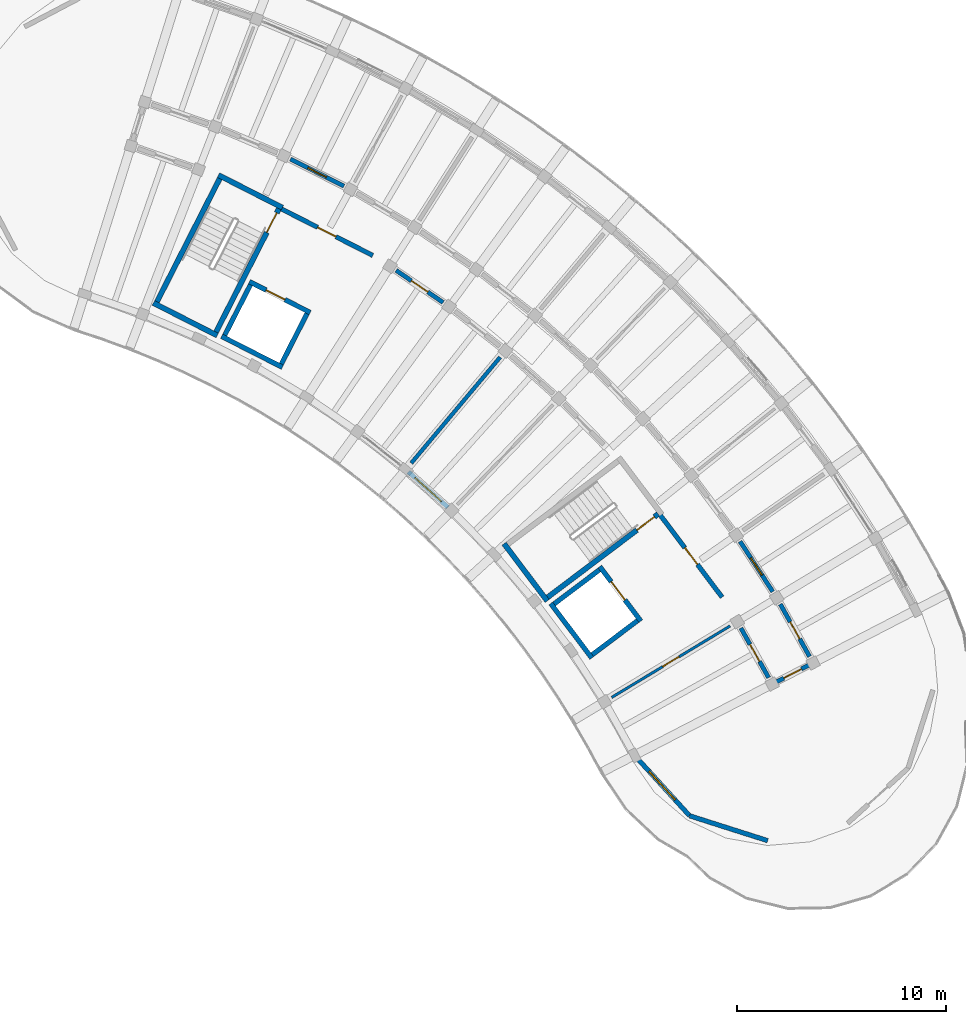
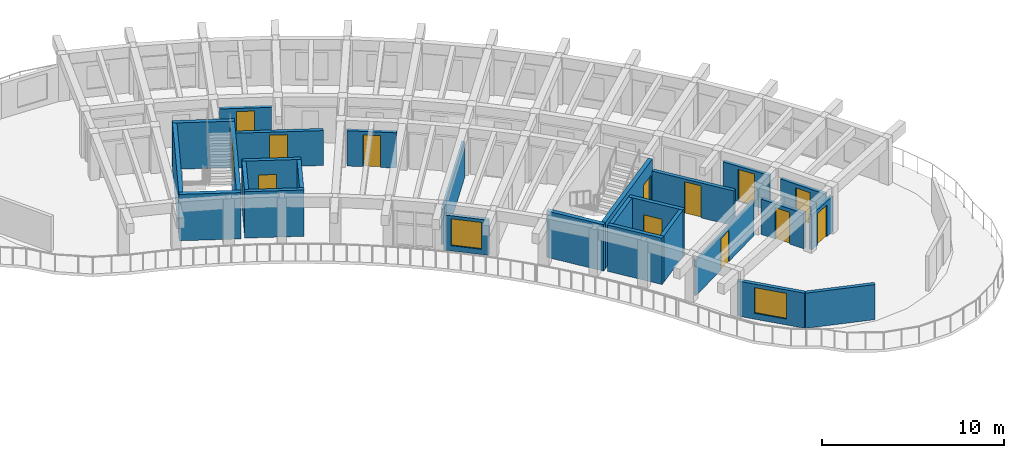
# One storey, part 23 of 36: 27 walls, 13 doors, 2 windows, 15 openings.
"""IFC4 building model written with IfcOpenShell, lengths in metres."""

from ifc_helpers import new_model, si_unit, direction, frame, frame_2d, origin, place, context, subcontext, project, spatial, rectangle, extrude, material, layer, layer_set, type_object, element, fill, save


model = new_model("IFC4")

# Units and contexts
model_context = context("Model", 3, precision=1e-05, world=origin(), true_north=direction((0.0, 1.0)))
body_context = subcontext(model_context, "Body", "Model", "MODEL_VIEW")
ifc_project = project(units=[si_unit("LENGTHUNIT", "METRE"), si_unit("AREAUNIT", "SQUARE_METRE"), si_unit("VOLUMEUNIT", "CUBIC_METRE"), si_unit("PLANEANGLEUNIT", "RADIAN"), si_unit("MASSUNIT", "GRAM", prefix="KILO")], contexts=[model_context])

# Site, building, storey
site_placement = place(None, origin())
site = spatial("IfcSite", under=ifc_project, at=site_placement, CompositionType="ELEMENT")
building_placement = place(site_placement, origin())
building = spatial("IfcBuilding", under=site, at=building_placement, Name="Tanwirah Colonnade Gardens", CompositionType="ELEMENT")
storey_placement = place(building_placement, frame((0.0, 0.0, 39.080078125)))
storey = spatial("IfcBuildingStorey", under=building, at=storey_placement, Name="L11", CompositionType="ELEMENT", Elevation=39.080078125)

# Wall, opening, window
ifc_material_1 = material(Name="Limestone architectural precast concrete C40/50", Category="masonry")
ifc_layer_1 = layer(ifc_material_1, 0.219970703125)
ifc_layer_set_1 = layer_set([ifc_layer_1], Name="Limestone architectural precast concrete C40/50")
wall_type_1 = type_object("IfcWallType", Name="EW-PC220", PredefinedType="SOLIDWALL", material=ifc_layer_set_1)
wall_1_placement = place(storey_placement, frame((151.58203125, 92.44775390625, 0.0), z_axis=(0.0, 0.0, 1.0), x_axis=(-0.744394463736, 0.667740130859, 0.0)))
wall_1 = element("IfcWall", 1, at=wall_1_placement, inside=storey, type_object=wall_type_1, Name="Block B L11 IN Precast Facade Wall 8", PredefinedType="SOLIDWALL", context=body_context, shape_type="SweptSolid", body=[
    extrude(rectangle(XDim=2.53515625, YDim=0.219970703125, at=frame_2d((1.267578125, 0.0))), origin(), (0.0, 0.0, 1.0), 2.35498046875),
])
opening_1_placement = place(wall_1_placement, frame((0.41748046875, 0.0, 0.35009765625)))
opening_1 = element("IfcOpeningElement", 2, at=opening_1_placement, cuts=wall_1, Name="Opening WIN-T12", PredefinedType="OPENING", context=body_context, shape_type="SweptSolid", body=[
    extrude(rectangle(XDim=1.699951171875, YDim=1.800048828125, at=frame_2d((0.85009765625, 0.89990234375))), frame((0.0, 0.119873046875, 0.0), z_axis=(0.0, -1.0, 0.0), x_axis=(1.0, 0.0, 0.0)), (0.0, 0.0, 1.0), 0.239990234375),
])
ifc_material_2 = material(Name="Thermally broken bronze aluminium and solar low-E double glazing", Category="aluminium")
window_type_1 = type_object("IfcWindowType", Name="WIN-T12", PartitioningType="TRIPLE_PANEL_VERTICAL", PredefinedType="WINDOW", material=ifc_material_2)
window_1_placement = place(opening_1_placement, origin())
window_1 = element("IfcWindow", 3, at=window_1_placement, inside=storey, type_object=window_type_1, Name="Facade window B-L11-IN-08", OverallHeight=1.800048828125, OverallWidth=1.699951171875, PartitioningType="SINGLE_PANEL", PredefinedType="WINDOW", context=body_context, shape_type="SweptSolid", body=[
    extrude(rectangle(XDim=1.699951171875, YDim=1.800048828125, at=frame_2d((0.85009765625, 0.89990234375))), frame((0.0, 0.030029296875, 0.0), z_axis=(0.0, -1.0, 0.0), x_axis=(1.0, 0.0, 0.0)), (0.0, 0.0, 1.0), 0.06005859375),
])
fill(opening_1, window_1)

# Wall
wall_2_placement = place(storey_placement, frame((166.843017578125, 76.534912109375, 0.0), z_axis=(0.0, 0.0, 1.0), x_axis=(-0.952839597628, 0.30347438309, 0.0)))
element("IfcWall", 4, at=wall_2_placement, inside=storey, type_object=wall_type_1, Name="Block B L11 START Rounded End Wall 4", PredefinedType="SOLIDWALL", context=body_context, shape_type="SweptSolid", body=[
    extrude(rectangle(XDim=3.908203125, YDim=0.219970703125, at=frame_2d((1.9541015625, 0.0))), origin(), (0.0, 0.0, 1.0), 2.35498046875),
])

# Wall, opening, window
wall_3_placement = place(storey_placement, frame((163.119140625, 77.720947265625, 0.0), z_axis=(0.0, 0.0, 1.0), x_axis=(-0.673483927886, 0.739201866123, 0.0)))
wall_3 = element("IfcWall", 5, at=wall_3_placement, inside=storey, type_object=wall_type_1, Name="Block B L11 START Rounded End Wall 5", PredefinedType="SOLIDWALL", context=body_context, shape_type="SweptSolid", body=[
    extrude(rectangle(XDim=3.908203125, YDim=0.219970703125, at=frame_2d((1.9541015625, 0.0))), origin(), (0.0, 0.0, 1.0), 2.35498046875),
])
opening_2_placement = place(wall_3_placement, frame((1.029052734375, 0.0, 0.39990234375)))
opening_2 = element("IfcOpeningElement", 6, at=opening_2_placement, cuts=wall_3, Name="Opening WIN-END1", PredefinedType="OPENING", context=body_context, shape_type="SweptSolid", body=[
    extrude(rectangle(XDim=1.85009765625, YDim=1.719970703125, at=frame_2d((0.925048828125, 0.85986328125))), frame((0.0, 0.119873046875, 0.0), z_axis=(0.0, -1.0, 0.0), x_axis=(1.0, 0.0, 0.0)), (0.0, 0.0, 1.0), 0.239990234375),
])
window_type_2 = type_object("IfcWindowType", Name="WIN-END1", PartitioningType="TRIPLE_PANEL_VERTICAL", PredefinedType="WINDOW", material=ifc_material_2)
window_2_placement = place(opening_2_placement, origin())
window_2 = element("IfcWindow", 7, at=window_2_placement, inside=storey, type_object=window_type_2, Name="Rounded corner window B-L11-START-5", OverallHeight=1.719970703125, OverallWidth=1.85009765625, PartitioningType="SINGLE_PANEL", PredefinedType="WINDOW", context=body_context, shape_type="SweptSolid", body=[
    extrude(rectangle(XDim=1.85009765625, YDim=1.719970703125, at=frame_2d((0.925048828125, 0.85986328125))), frame((0.0, 0.030029296875, 0.0), z_axis=(0.0, -1.0, 0.0), x_axis=(1.0, 0.0, 0.0)), (0.0, 0.0, 1.0), 0.06005859375),
])
fill(opening_2, window_2)

# Wall, opening, door
ifc_material_3 = material(Name="Precast concrete C40/50", Category="concrete")
ifc_layer_2 = layer(ifc_material_3, 0.205078125)
ifc_layer_set_2 = layer_set([ifc_layer_2], Name="Precast concrete C40/50")
wall_type_2 = type_object("IfcWallType", Name="IW-CORR205", PredefinedType="PARTITIONING", material=ifc_layer_set_2)
wall_4_placement = place(storey_placement, frame((168.844482421875, 85.323486328125, 0.0), z_axis=(0.0, 0.0, 1.0), x_axis=(-0.48817487918, 0.872745832037, 0.0)))
wall_4 = element("IfcWall", 8, at=wall_4_placement, inside=storey, type_object=wall_type_2, Name="Block B L11 OUT Corridor Wall 3", PredefinedType="PARTITIONING", context=body_context, shape_type="SweptSolid", body=[
    extrude(rectangle(XDim=2.863037109375, YDim=0.205078125, at=frame_2d((1.431640625, 0.0))), origin(), (0.0, 0.0, 1.0), 2.369873046875),
])
opening_3_placement = place(wall_4_placement, frame((0.966552734375, 0.0, 0.0)))
opening_3 = element("IfcOpeningElement", 9, at=opening_3_placement, cuts=wall_4, Name="Opening L11-AD1226", PredefinedType="OPENING", context=body_context, shape_type="SweptSolid", body=[
    extrude(rectangle(XDim=0.929931640625, YDim=2.1201171875, at=frame_2d((0.46484375, 1.06005859375))), frame((0.0, 0.112548828125, 0.0), z_axis=(0.0, -1.0, 0.0), x_axis=(1.0, 0.0, 0.0)), (0.0, 0.0, 1.0), 0.22509765625),
])
ifc_material_4 = material(Name="Solid oak fire-resisting apartment entrance door")
door_type_1 = type_object("IfcDoorType", Name="ID-FLT093", OperationType="NOTDEFINED", PredefinedType="DOOR", material=ifc_material_4)
door_1_placement = place(opening_3_placement, origin())
door_1 = element("IfcDoor", 10, at=door_1_placement, inside=storey, type_object=door_type_1, Name="Apartment corridor door L11-AD1226", OperationType="SINGLE_SWING_LEFT", OverallHeight=2.1201171875, OverallWidth=0.929931640625, PredefinedType="DOOR", context=body_context, shape_type="SweptSolid", body=[
    extrude(rectangle(XDim=0.929931640625, YDim=2.1201171875, at=frame_2d((0.46484375, 1.06005859375))), frame((0.0, 0.02490234375, 0.0), z_axis=(0.0, -1.0, 0.0), x_axis=(1.0, 0.0, 0.0)), (0.0, 0.0, 1.0), 0.050048828125),
])
fill(opening_3, door_1)

wall_5_placement = place(storey_placement, frame((166.89013671875, 84.313232421875, 0.0), z_axis=(0.0, 0.0, 1.0), x_axis=(-0.48819576874, 0.872734147025, 0.0)))
wall_5 = element("IfcWall", 11, at=wall_5_placement, inside=storey, type_object=wall_type_2, Name="Block B L11 IN Corridor Wall 3", PredefinedType="PARTITIONING", context=body_context, shape_type="SweptSolid", body=[
    extrude(rectangle(XDim=2.718017578125, YDim=0.205078125, at=frame_2d((1.35888671875, 0.0))), origin(), (0.0, 0.0, 1.0), 2.369873046875),
])
opening_4_placement = place(wall_5_placement, frame((0.89404296875, 0.0, 0.0)))
opening_4 = element("IfcOpeningElement", 12, at=opening_4_placement, cuts=wall_5, Name="Opening L11-AD1227", PredefinedType="OPENING", context=body_context, shape_type="SweptSolid", body=[
    extrude(rectangle(XDim=0.929931640625, YDim=2.1201171875, at=frame_2d((0.46484375, 1.06005859375))), frame((0.0, 0.112548828125, 0.0), z_axis=(0.0, -1.0, 0.0), x_axis=(1.0, 0.0, 0.0)), (0.0, 0.0, 1.0), 0.22509765625),
])
door_2_placement = place(opening_4_placement, origin())
door_2 = element("IfcDoor", 13, at=door_2_placement, inside=storey, type_object=door_type_1, Name="Apartment corridor door L11-AD1227", OperationType="SINGLE_SWING_RIGHT", OverallHeight=2.1201171875, OverallWidth=0.929931640625, PredefinedType="DOOR", context=body_context, shape_type="SweptSolid", body=[
    extrude(rectangle(XDim=0.929931640625, YDim=2.1201171875, at=frame_2d((0.46484375, 1.06005859375))), frame((0.0, 0.02490234375, 0.0), z_axis=(0.0, -1.0, 0.0), x_axis=(1.0, 0.0, 0.0)), (0.0, 0.0, 1.0), 0.050048828125),
])
fill(opening_4, door_2)

wall_6_placement = place(storey_placement, frame((167.085205078125, 88.421142578125, 0.0), z_axis=(0.0, 0.0, 1.0), x_axis=(-0.544643612649, 0.838667595178, 0.0)))
wall_6 = element("IfcWall", 14, at=wall_6_placement, inside=storey, type_object=wall_type_2, Name="Block B L11 OUT Corridor Wall 4", PredefinedType="PARTITIONING", context=body_context, shape_type="SweptSolid", body=[
    extrude(rectangle(XDim=2.863037109375, YDim=0.205078125, at=frame_2d((1.431640625, 0.0))), origin(), (0.0, 0.0, 1.0), 2.369873046875),
])
opening_5_placement = place(wall_6_placement, frame((0.9365234375, 0.0, 0.0)))
opening_5 = element("IfcOpeningElement", 15, at=opening_5_placement, cuts=wall_6, Name="Opening L11-AD1229", PredefinedType="OPENING", context=body_context, shape_type="SweptSolid", body=[
    extrude(rectangle(XDim=0.989990234375, YDim=2.159912109375, at=frame_2d((0.4951171875, 1.080078125))), frame((0.0, 0.112548828125, 0.0), z_axis=(0.0, -1.0, 0.0), x_axis=(1.0, 0.0, 0.0)), (0.0, 0.0, 1.0), 0.22509765625),
])
door_type_2 = type_object("IfcDoorType", Name="ID-FLT099", OperationType="NOTDEFINED", PredefinedType="DOOR", material=ifc_material_4)
door_3_placement = place(opening_5_placement, origin())
door_3 = element("IfcDoor", 16, at=door_3_placement, inside=storey, type_object=door_type_2, Name="Apartment corridor door L11-AD1229", OperationType="SINGLE_SWING_RIGHT", OverallHeight=2.159912109375, OverallWidth=0.989990234375, PredefinedType="DOOR", context=body_context, shape_type="SweptSolid", body=[
    extrude(rectangle(XDim=0.989990234375, YDim=2.159912109375, at=frame_2d((0.4951171875, 1.080078125))), frame((0.0, 0.02490234375, 0.0), z_axis=(0.0, -1.0, 0.0), x_axis=(1.0, 0.0, 0.0)), (0.0, 0.0, 1.0), 0.050048828125),
])
fill(opening_5, door_3)

wall_7_placement = place(storey_placement, frame((151.35009765625, 102.226318359375, 0.0), z_axis=(0.0, 0.0, 1.0), x_axis=(-0.825752009056, 0.56403334967, 0.0)))
wall_7 = element("IfcWall", 17, at=wall_7_placement, inside=storey, type_object=wall_type_2, Name="Block B L11 IN Corridor Wall 10", PredefinedType="PARTITIONING", context=body_context, shape_type="SweptSolid", body=[
    extrude(rectangle(XDim=2.71826171875, YDim=0.205078125, at=frame_2d((1.359130859375, 0.0))), origin(), (0.0, 0.0, 1.0), 2.369873046875),
])
opening_6_placement = place(wall_7_placement, frame((0.884033203125, 0.0, 0.0)))
opening_6 = element("IfcOpeningElement", 18, at=opening_6_placement, cuts=wall_7, Name="Opening L11-AD1242", PredefinedType="OPENING", context=body_context, shape_type="SweptSolid", body=[
    extrude(rectangle(XDim=0.949951171875, YDim=2.1298828125, at=frame_2d((0.47509765625, 1.06494140625))), frame((0.0, 0.112548828125, 0.0), z_axis=(0.0, -1.0, 0.0), x_axis=(1.0, 0.0, 0.0)), (0.0, 0.0, 1.0), 0.22509765625),
])
door_type_3 = type_object("IfcDoorType", Name="ID-FLT095", OperationType="NOTDEFINED", PredefinedType="DOOR", material=ifc_material_4)
door_4_placement = place(opening_6_placement, origin())
door_4 = element("IfcDoor", 19, at=door_4_placement, inside=storey, type_object=door_type_3, Name="Apartment corridor door L11-AD1242", OperationType="SINGLE_SWING_LEFT", OverallHeight=2.1298828125, OverallWidth=0.949951171875, PredefinedType="DOOR", context=body_context, shape_type="SweptSolid", body=[
    extrude(rectangle(XDim=0.949951171875, YDim=2.1298828125, at=frame_2d((0.47509765625, 1.06494140625))), frame((0.0, 0.02490234375, 0.0), z_axis=(0.0, -1.0, 0.0), x_axis=(1.0, 0.0, 0.0)), (0.0, 0.0, 1.0), 0.050048828125),
])
fill(opening_6, door_4)

wall_8_placement = place(storey_placement, frame((146.615966796875, 107.782470703125, 0.0), z_axis=(0.0, 0.0, 1.0), x_axis=(-0.89273239336, 0.450587254419, 0.0)))
wall_8 = element("IfcWall", 20, at=wall_8_placement, inside=storey, type_object=wall_type_2, Name="Block B L11 OUT Corridor Wall 12", PredefinedType="PARTITIONING", context=body_context, shape_type="SweptSolid", body=[
    extrude(rectangle(XDim=2.863037109375, YDim=0.205078125, at=frame_2d((1.431640625, 0.0))), origin(), (0.0, 0.0, 1.0), 2.369873046875),
])
opening_7_placement = place(wall_8_placement, frame((0.9365234375, 0.0, 0.0)))
opening_7 = element("IfcOpeningElement", 21, at=opening_7_placement, cuts=wall_8, Name="Opening L11-AD1245", PredefinedType="OPENING", context=body_context, shape_type="SweptSolid", body=[
    extrude(rectangle(XDim=0.989990234375, YDim=2.159912109375, at=frame_2d((0.4951171875, 1.080078125))), frame((0.0, 0.112548828125, 0.0), z_axis=(0.0, -1.0, 0.0), x_axis=(1.0, 0.0, 0.0)), (0.0, 0.0, 1.0), 0.22509765625),
])
door_5_placement = place(opening_7_placement, origin())
door_5 = element("IfcDoor", 22, at=door_5_placement, inside=storey, type_object=door_type_2, Name="Apartment corridor door L11-AD1245", OperationType="SINGLE_SWING_RIGHT", OverallHeight=2.159912109375, OverallWidth=0.989990234375, PredefinedType="DOOR", context=body_context, shape_type="SweptSolid", body=[
    extrude(rectangle(XDim=0.989990234375, YDim=2.159912109375, at=frame_2d((0.4951171875, 1.080078125))), frame((0.0, 0.02490234375, 0.0), z_axis=(0.0, -1.0, 0.0), x_axis=(1.0, 0.0, 0.0)), (0.0, 0.0, 1.0), 0.050048828125),
])
fill(opening_7, door_5)

wall_9_placement = place(storey_placement, frame((167.10546875, 84.03076171875, 0.0), z_axis=(0.0, 0.0, 1.0), x_axis=(0.888371375666, 0.459125580749, 0.0)))
wall_9 = element("IfcWall", 23, at=wall_9_placement, inside=storey, type_object=wall_type_2, Name="Block B L11 CS Corner Suite Corridor Wall", PredefinedType="PARTITIONING", context=body_context, shape_type="SweptSolid", body=[
    extrude(rectangle(XDim=2.099853515625, YDim=0.205078125, at=frame_2d((1.0498046875, 0.0))), origin(), (0.0, 0.0, 1.0), 2.369873046875),
])
opening_8_placement = place(wall_9_placement, frame((0.570068359375, 0.0, 0.0)))
opening_8 = element("IfcOpeningElement", 24, at=opening_8_placement, cuts=wall_9, Name="Opening L11-CD1250", PredefinedType="OPENING", context=body_context, shape_type="SweptSolid", body=[
    extrude(rectangle(XDim=0.949951171875, YDim=2.1298828125, at=frame_2d((0.47509765625, 1.06494140625))), frame((0.0, 0.112548828125, 0.0), z_axis=(0.0, -1.0, 0.0), x_axis=(1.0, 0.0, 0.0)), (0.0, 0.0, 1.0), 0.22509765625),
])
door_6_placement = place(opening_8_placement, origin())
door_6 = element("IfcDoor", 25, at=door_6_placement, inside=storey, type_object=door_type_3, Name="Corner suite entrance door L11-CD1250", OperationType="SINGLE_SWING_LEFT", OverallHeight=2.1298828125, OverallWidth=0.949951171875, PredefinedType="DOOR", context=body_context, shape_type="SweptSolid", body=[
    extrude(rectangle(XDim=0.949951171875, YDim=2.1298828125, at=frame_2d((0.47509765625, 1.06494140625))), frame((0.0, 0.02490234375, 0.0), z_axis=(0.0, -1.0, 0.0), x_axis=(1.0, 0.0, 0.0)), (0.0, 0.0, 1.0), 0.050048828125),
])
fill(opening_8, door_6)

# Wall
ifc_layer_3 = layer(ifc_material_3, 0.18505859375)
ifc_layer_set_3 = layer_set([ifc_layer_3], Name="Precast concrete C40/50")
wall_type_3 = type_object("IfcWallType", Name="IW-DEM185", PredefinedType="PARTITIONING", material=ifc_layer_set_3)
wall_10_placement = place(storey_placement, frame((149.8291015625, 94.55712890625, 0.0), z_axis=(0.0, 0.0, 1.0), x_axis=(0.642789470807, 0.766042881449, 0.0)))
element("IfcWall", 26, at=wall_10_placement, inside=storey, type_object=wall_type_3, Name="Block B L11 Inner Radial Partition 8", PredefinedType="PARTITIONING", context=body_context, shape_type="SweptSolid", body=[
    extrude(rectangle(XDim=6.60009765625, YDim=0.18505859375, at=frame_2d((3.300048828125, 0.0))), origin(), (0.0, 0.0, 1.0), 2.369873046875),
])

# Wall, opening, door
ifc_material_5 = material(Name="Autoclaved aerated masonry blockwork", Category="masonry")
ifc_layer_4 = layer(ifc_material_5, 0.219970703125)
ifc_layer_set_4 = layer_set([ifc_layer_4], Name="Autoclaved aerated masonry blockwork")
wall_type_4 = type_object("IfcWallType", Name="IW-FFL220", PredefinedType="PARTITIONING", material=ifc_layer_set_4)
wall_11_placement = place(storey_placement, frame((161.7177734375, 92.072509765625, 0.0), z_axis=(0.0, 0.0, 1.0), x_axis=(0.601792209296, -0.79865270101, 0.0)))
wall_11 = element("IfcWall", 27, at=wall_11_placement, inside=storey, type_object=wall_type_4, Name="CORE-B1 L11 Enclosed Lobby Fire Wall", PredefinedType="PARTITIONING", context=body_context, shape_type="SweptSolid", body=[
    extrude(rectangle(XDim=4.89990234375, YDim=0.219970703125, at=frame_2d((2.449951171875, 0.0))), origin(), (0.0, 0.0, 1.0), 2.33984375),
])
opening_9_placement = place(wall_11_placement, frame((1.949951171875, 0.0, 0.0)))
opening_9 = element("IfcOpeningElement", 28, at=opening_9_placement, cuts=wall_11, Name="Opening L11-LD091", PredefinedType="OPENING", context=body_context, shape_type="SweptSolid", body=[
    extrude(rectangle(XDim=1.0, YDim=2.14990234375, at=frame_2d((0.5, 1.074951171875))), frame((0.0, 0.119873046875, 0.0), z_axis=(0.0, -1.0, 0.0), x_axis=(1.0, 0.0, 0.0)), (0.0, 0.0, 1.0), 0.239990234375),
])
ifc_material_6 = material(Name="Acoustic fire-resisting lobby door")
door_type_4 = type_object("IfcDoorType", Name="ID-FFL100", OperationType="NOTDEFINED", PredefinedType="DOOR", material=ifc_material_6)
door_7_placement = place(opening_9_placement, origin())
door_7 = element("IfcDoor", 29, at=door_7_placement, inside=storey, type_object=door_type_4, Name="CORE-B1 L11 Lobby Fire Door L11-LD091", OperationType="SINGLE_SWING_RIGHT", OverallHeight=2.14990234375, OverallWidth=1.0, PredefinedType="DOOR", context=body_context, shape_type="SweptSolid", body=[
    extrude(rectangle(XDim=1.0, YDim=2.14990234375, at=frame_2d((0.5, 1.074951171875))), frame((0.0, 0.02490234375, 0.0), z_axis=(0.0, -1.0, 0.0), x_axis=(1.0, 0.0, 0.0)), (0.0, 0.0, 1.0), 0.050048828125),
])
fill(opening_9, door_7)

wall_12_placement = place(storey_placement, frame((143.624755859375, 106.6962890625, 0.0), z_axis=(0.0, 0.0, 1.0), x_axis=(0.891003372311, -0.453996685595, 0.0)))
wall_12 = element("IfcWall", 30, at=wall_12_placement, inside=storey, type_object=wall_type_4, Name="CORE-B2 L11 Enclosed Lobby Fire Wall", PredefinedType="PARTITIONING", context=body_context, shape_type="SweptSolid", body=[
    extrude(rectangle(XDim=4.900146484375, YDim=0.219970703125, at=frame_2d((2.4501953125, 0.0))), origin(), (0.0, 0.0, 1.0), 2.33984375),
])
opening_10_placement = place(wall_12_placement, frame((1.949951171875, 0.0, 0.0)))
opening_10 = element("IfcOpeningElement", 31, at=opening_10_placement, cuts=wall_12, Name="Opening L11-LD119", PredefinedType="OPENING", context=body_context, shape_type="SweptSolid", body=[
    extrude(rectangle(XDim=0.97998046875, YDim=2.139892578125, at=frame_2d((0.489990234375, 1.06982421875))), frame((0.0, 0.119873046875, 0.0), z_axis=(0.0, -1.0, 0.0), x_axis=(1.0, 0.0, 0.0)), (0.0, 0.0, 1.0), 0.239990234375),
])
door_type_5 = type_object("IfcDoorType", Name="ID-FFL098", OperationType="NOTDEFINED", PredefinedType="DOOR", material=ifc_material_6)
door_8_placement = place(opening_10_placement, origin())
door_8 = element("IfcDoor", 32, at=door_8_placement, inside=storey, type_object=door_type_5, Name="CORE-B2 L11 Lobby Fire Door L11-LD119", OperationType="SINGLE_SWING_RIGHT", OverallHeight=2.139892578125, OverallWidth=0.97998046875, PredefinedType="DOOR", context=body_context, shape_type="SweptSolid", body=[
    extrude(rectangle(XDim=0.97998046875, YDim=2.139892578125, at=frame_2d((0.489990234375, 1.06982421875))), frame((0.0, 0.02490234375, 0.0), z_axis=(0.0, -1.0, 0.0), x_axis=(1.0, 0.0, 0.0)), (0.0, 0.0, 1.0), 0.050048828125),
])
fill(opening_10, door_8)

ifc_material_7 = material(Name="Moisture-resistant gypsum stud partition")
ifc_layer_5 = layer(ifc_material_7, 0.125)
ifc_layer_set_5 = layer_set([ifc_layer_5], Name="Moisture-resistant gypsum stud partition")
wall_type_5 = type_object("IfcWallType", Name="IW-INT125", PredefinedType="PARTITIONING", material=ifc_layer_set_5)
wall_13_placement = place(storey_placement, frame((159.399169921875, 83.3740234375, 0.0), z_axis=(0.0, 0.0, 1.0), x_axis=(0.85616819337, 0.516697227263, 0.0)))
wall_13 = element("IfcWall", 33, at=wall_13_placement, inside=storey, type_object=wall_type_5, Name="Block B L11 Inner Radial Partition 3", PredefinedType="PARTITIONING", context=body_context, shape_type="SweptSolid", body=[
    extrude(rectangle(XDim=6.599853515625, YDim=0.125, at=frame_2d((3.2998046875, 0.0))), origin(), (0.0, 0.0, 1.0), 2.369873046875),
])
opening_11_placement = place(wall_13_placement, frame((2.844970703125, 0.0, 0.0)))
opening_11 = element("IfcOpeningElement", 34, at=opening_11_placement, cuts=wall_13, Name="Opening L11-RD1228", PredefinedType="OPENING", context=body_context, shape_type="SweptSolid", body=[
    extrude(rectangle(XDim=0.909912109375, YDim=2.10009765625, at=frame_2d((0.455078125, 1.050048828125))), frame((0.0, 0.072509765625, 0.0), z_axis=(0.0, -1.0, 0.0), x_axis=(1.0, 0.0, 0.0)), (0.0, 0.0, 1.0), 0.14501953125),
])
ifc_material_8 = material(Name="Painted hardwood internal room door", Category="wood")
door_type_6 = type_object("IfcDoorType", Name="ID-RM091", OperationType="NOTDEFINED", PredefinedType="DOOR", material=ifc_material_8)
door_9_placement = place(opening_11_placement, origin())
door_9 = element("IfcDoor", 35, at=door_9_placement, inside=storey, type_object=door_type_6, Name="Internal apartment door L11-RD1228", OperationType="SINGLE_SWING_RIGHT", OverallHeight=2.10009765625, OverallWidth=0.909912109375, PredefinedType="DOOR", context=body_context, shape_type="SweptSolid", body=[
    extrude(rectangle(XDim=0.909912109375, YDim=2.10009765625, at=frame_2d((0.455078125, 1.050048828125))), frame((0.0, 0.02490234375, 0.0), z_axis=(0.0, -1.0, 0.0), x_axis=(1.0, 0.0, 0.0)), (0.0, 0.0, 1.0), 0.050048828125),
])
fill(opening_11, door_9)

# Wall
ifc_material_9 = material(Name="Concrete C45/55", Category="concrete")
ifc_layer_6 = layer(ifc_material_9, 0.25)
ifc_layer_set_6 = layer_set([ifc_layer_6], Name="Concrete C45/55")
wall_type_6 = type_object("IfcWallType", Name="SW-CORE250", PredefinedType="SHEAR", material=ifc_layer_set_6)
wall_14_placement = place(storey_placement, frame((154.2607421875, 90.710693359375, 0.0), z_axis=(0.0, 0.0, 1.0), x_axis=(0.601825826579, -0.798627368967, 0.0)))
element("IfcWall", 36, at=wall_14_placement, inside=storey, type_object=wall_type_6, Name="CORE-B1 L11 Stair Shaft Shear Wall FAR", PredefinedType="SHEAR", context=body_context, shape_type="SweptSolid", body=[
    extrude(rectangle(XDim=3.420166015625, YDim=0.25, at=frame_2d((1.7099609375, 0.0))), origin(), (0.0, 0.0, 1.0), 3.10986328125),
])

# Wall, opening, door
wall_15_placement = place(storey_placement, frame((161.614501953125, 92.126220703125, 0.0), z_axis=(0.0, 0.0, 1.0), x_axis=(-0.798639633744, -0.601809550782, 0.0)))
wall_15 = element("IfcWall", 37, at=wall_15_placement, inside=storey, type_object=wall_type_6, Name="CORE-B1 L11 Stair Shaft Shear Wall RIGHT", PredefinedType="SHEAR", context=body_context, shape_type="SweptSolid", body=[
    extrude(rectangle(XDim=6.599853515625, YDim=0.25, at=frame_2d((3.2998046875, 0.0))), origin(), (0.0, 0.0, 1.0), 3.10986328125),
])
opening_12_placement = place(wall_15_placement, frame((0.219970703125, 0.0, 0.0)))
opening_12 = element("IfcOpeningElement", 38, at=opening_12_placement, cuts=wall_15, Name="Opening L11-SD077", PredefinedType="OPENING", context=body_context, shape_type="SweptSolid", body=[
    extrude(rectangle(XDim=1.050048828125, YDim=2.14990234375, at=frame_2d((0.52490234375, 1.074951171875))), frame((0.0, 0.135009765625, 0.0), z_axis=(0.0, -1.0, 0.0), x_axis=(1.0, 0.0, 0.0)), (0.0, 0.0, 1.0), 0.27001953125),
])
ifc_material_10 = material(Name="Steel fire-resisting stair enclosure door", Category="steel")
door_type_7 = type_object("IfcDoorType", Name="ID-ST105", OperationType="NOTDEFINED", PredefinedType="DOOR", material=ifc_material_10)
door_10_placement = place(opening_12_placement, origin())
door_10 = element("IfcDoor", 39, at=door_10_placement, inside=storey, type_object=door_type_7, Name="CORE-B1 L11 Stair Fire Door L11-SD077", OperationType="SINGLE_SWING_RIGHT", OverallHeight=2.14990234375, OverallWidth=1.050048828125, PredefinedType="DOOR", context=body_context, shape_type="SweptSolid", body=[
    extrude(rectangle(XDim=1.050048828125, YDim=2.14990234375, at=frame_2d((0.52490234375, 1.074951171875))), frame((0.0, 0.02490234375, 0.0), z_axis=(0.0, -1.0, 0.0), x_axis=(1.0, 0.0, 0.0)), (0.0, 0.0, 1.0), 0.050048828125),
])
fill(opening_12, door_10)

# Walls
wall_16_placement = place(storey_placement, frame((140.68408203125, 108.138671875, 0.0), z_axis=(0.0, 0.0, 1.0), x_axis=(-0.453992276384, -0.891005618941, 0.0)))
element("IfcWall", 40, at=wall_16_placement, inside=storey, type_object=wall_type_6, Name="CORE-B2 L11 Stair Shaft Shear Wall LEFT", PredefinedType="SHEAR", context=body_context, shape_type="SweptSolid", body=[
    extrude(rectangle(XDim=6.599853515625, YDim=0.25, at=frame_2d((3.2998046875, 0.0))), origin(), (0.0, 0.0, 1.0), 3.10986328125),
])
wall_17_placement = place(storey_placement, frame((137.51953125, 102.203369140625, 0.0), z_axis=(0.0, 0.0, 1.0), x_axis=(0.891003540237, -0.453996356025, 0.0)))
element("IfcWall", 41, at=wall_17_placement, inside=storey, type_object=wall_type_6, Name="CORE-B2 L11 Stair Shaft Shear Wall FAR", PredefinedType="SHEAR", context=body_context, shape_type="SweptSolid", body=[
    extrude(rectangle(XDim=3.420166015625, YDim=0.25, at=frame_2d((1.7099609375, 0.0))), origin(), (0.0, 0.0, 1.0), 3.10986328125),
])
wall_18_placement = place(storey_placement, frame((140.62939453125, 108.306640625, 0.0), z_axis=(0.0, 0.0, 1.0), x_axis=(0.891032414707, -0.453939683153, 0.0)))
element("IfcWall", 42, at=wall_18_placement, inside=storey, type_object=wall_type_6, Name="CORE-B2 L11 Stair Shaft Shear Wall NEAR", PredefinedType="SHEAR", context=body_context, shape_type="SweptSolid", body=[
    extrude(rectangle(XDim=3.419921875, YDim=0.25, at=frame_2d((1.7099609375, 0.0))), origin(), (0.0, 0.0, 1.0), 3.10986328125),
])

# Wall, opening, door
wall_19_placement = place(storey_placement, frame((143.508544921875, 106.699462890625, 0.0), z_axis=(0.0, 0.0, 1.0), x_axis=(-0.453992276384, -0.891005618941, 0.0)))
wall_19 = element("IfcWall", 43, at=wall_19_placement, inside=storey, type_object=wall_type_6, Name="CORE-B2 L11 Stair Shaft Shear Wall RIGHT", PredefinedType="SHEAR", context=body_context, shape_type="SweptSolid", body=[
    extrude(rectangle(XDim=6.599853515625, YDim=0.25, at=frame_2d((3.2998046875, 0.0))), origin(), (0.0, 0.0, 1.0), 3.10986328125),
])
opening_13_placement = place(wall_19_placement, frame((0.219970703125, 0.0, 0.0)))
opening_13 = element("IfcOpeningElement", 44, at=opening_13_placement, cuts=wall_19, Name="Opening L11-SD105", PredefinedType="OPENING", context=body_context, shape_type="SweptSolid", body=[
    extrude(rectangle(XDim=1.050048828125, YDim=2.14990234375, at=frame_2d((0.52490234375, 1.074951171875))), frame((0.0, 0.135009765625, 0.0), z_axis=(0.0, -1.0, 0.0), x_axis=(1.0, 0.0, 0.0)), (0.0, 0.0, 1.0), 0.27001953125),
])
door_11_placement = place(opening_13_placement, origin())
door_11 = element("IfcDoor", 45, at=door_11_placement, inside=storey, type_object=door_type_7, Name="CORE-B2 L11 Stair Fire Door L11-SD105", OperationType="SINGLE_SWING_RIGHT", OverallHeight=2.14990234375, OverallWidth=1.050048828125, PredefinedType="DOOR", context=body_context, shape_type="SweptSolid", body=[
    extrude(rectangle(XDim=1.050048828125, YDim=2.14990234375, at=frame_2d((0.52490234375, 1.074951171875))), frame((0.0, 0.02490234375, 0.0), z_axis=(0.0, -1.0, 0.0), x_axis=(1.0, 0.0, 0.0)), (0.0, 0.0, 1.0), 0.050048828125),
])
fill(opening_13, door_11)

ifc_layer_7 = layer(ifc_material_9, 0.22998046875)
ifc_layer_set_7 = layer_set([ifc_layer_7], Name="Concrete C45/55")
wall_type_7 = type_object("IfcWallType", Name="SW-LIFT230", PredefinedType="SHEAR", material=ifc_layer_set_7)
wall_20_placement = place(storey_placement, frame((158.827392578125, 89.618896484375, 0.0), z_axis=(0.0, 0.0, 1.0), x_axis=(0.601819781152, -0.798631924615, 0.0)))
wall_20 = element("IfcWall", 46, at=wall_20_placement, inside=storey, type_object=wall_type_7, Name="CORE-B1 L11 Lift Shaft Wall FRONT", PredefinedType="SHEAR", context=body_context, shape_type="SweptSolid", body=[
    extrude(rectangle(XDim=3.260009765625, YDim=0.22998046875, at=frame_2d((1.6298828125, 0.0))), origin(), (0.0, 0.0, 1.0), 3.10986328125),
])
opening_14_placement = place(wall_20_placement, frame((0.89990234375, 0.0, 0.0)))
opening_14 = element("IfcOpeningElement", 47, at=opening_14_placement, cuts=wall_20, Name="Opening L11-LD-FL-B1", PredefinedType="OPENING", context=body_context, shape_type="SweptSolid", body=[
    extrude(rectangle(XDim=1.10009765625, YDim=2.14990234375, at=frame_2d((0.550048828125, 1.074951171875))), frame((0.0, 0.125, 0.0), z_axis=(0.0, -1.0, 0.0), x_axis=(1.0, 0.0, 0.0)), (0.0, 0.0, 1.0), 0.25),
])
ifc_material_11 = material(Name="Stainless steel sliding fire lift landing door", Category="steel")
door_type_8 = type_object("IfcDoorType", Name="LD-FF11", OperationType="DOUBLE_DOOR_SLIDING", PredefinedType="DOOR", material=ifc_material_11)
door_12_placement = place(opening_14_placement, origin())
door_12 = element("IfcDoor", 48, at=door_12_placement, inside=storey, type_object=door_type_8, Name="Lift FL-B1 L11 Sliding Landing Door", OperationType="DOUBLE_DOOR_SLIDING", OverallHeight=2.14990234375, OverallWidth=1.10009765625, PredefinedType="DOOR", context=body_context, shape_type="SweptSolid", body=[
    extrude(rectangle(XDim=1.10009765625, YDim=2.14990234375, at=frame_2d((0.550048828125, 1.074951171875))), frame((0.0, 0.02490234375, 0.0), z_axis=(0.0, -1.0, 0.0), x_axis=(1.0, 0.0, 0.0)), (0.0, 0.0, 1.0), 0.050048828125),
])
fill(opening_14, door_12)

# Walls
wall_21_placement = place(storey_placement, frame((156.4873046875, 87.855712890625, 0.0), z_axis=(0.0, 0.0, 1.0), x_axis=(0.601819781152, -0.798631924615, 0.0)))
element("IfcWall", 49, at=wall_21_placement, inside=storey, type_object=wall_type_7, Name="CORE-B1 L11 Lift Shaft Wall BACK", PredefinedType="SHEAR", context=body_context, shape_type="SweptSolid", body=[
    extrude(rectangle(XDim=3.260009765625, YDim=0.22998046875, at=frame_2d((1.6298828125, 0.0))), origin(), (0.0, 0.0, 1.0), 3.10986328125),
])
for number, where, z_axis, x_axis, name in (
    (50, (158.8046875, 89.4580078125, 0.0), (0.0, 0.0, 1.0), (-0.798608971494, -0.601850239387, 0.0), "CORE-B1 L11 Lift Shaft Wall SIDEA"),
    (51, (160.628173828125, 87.0380859375, 0.0), (0.0, 0.0, 1.0), (-0.798608971494, -0.601850239387, 0.0), "CORE-B1 L11 Lift Shaft Wall SIDEB"),
):
    element("IfcWall", number, at=place(storey_placement, frame(where, z_axis=z_axis, x_axis=x_axis)), inside=storey, type_object=wall_type_7, Name=name, PredefinedType="SHEAR", context=body_context, shape_type="SweptSolid", body=[
        extrude(rectangle(XDim=2.699951171875, YDim=0.22998046875, at=frame_2d((1.35009765625, 0.0))), origin(), (0.0, 0.0, 1.0), 3.10986328125),
    ])

# Wall, opening, door
wall_22_placement = place(storey_placement, frame((142.1025390625, 103.223876953125, 0.0), z_axis=(0.0, 0.0, 1.0), x_axis=(0.891001200497, -0.454000947921, 0.0)))
wall_22 = element("IfcWall", 52, at=wall_22_placement, inside=storey, type_object=wall_type_7, Name="CORE-B2 L11 Lift Shaft Wall FRONT", PredefinedType="SHEAR", context=body_context, shape_type="SweptSolid", body=[
    extrude(rectangle(XDim=3.259765625, YDim=0.22998046875, at=frame_2d((1.6298828125, 0.0))), origin(), (0.0, 0.0, 1.0), 3.10986328125),
])
opening_15_placement = place(wall_22_placement, frame((0.89990234375, 0.0, 0.0)))
opening_15 = element("IfcOpeningElement", 53, at=opening_15_placement, cuts=wall_22, Name="Opening L11-LD-PL-B2", PredefinedType="OPENING", context=body_context, shape_type="SweptSolid", body=[
    extrude(rectangle(XDim=1.0, YDim=2.14990234375, at=frame_2d((0.5, 1.074951171875))), frame((0.0, 0.125, 0.0), z_axis=(0.0, -1.0, 0.0), x_axis=(1.0, 0.0, 0.0)), (0.0, 0.0, 1.0), 0.25),
])
ifc_material_12 = material(Name="Bronze stainless steel sliding lift landing door", Category="steel")
door_type_9 = type_object("IfcDoorType", Name="LD-PS10", OperationType="DOUBLE_DOOR_SLIDING", PredefinedType="DOOR", material=ifc_material_12)
door_13_placement = place(opening_15_placement, origin())
door_13 = element("IfcDoor", 54, at=door_13_placement, inside=storey, type_object=door_type_9, Name="Lift PL-B2 L11 Sliding Landing Door", OperationType="DOUBLE_DOOR_SLIDING", OverallHeight=2.14990234375, OverallWidth=1.0, PredefinedType="DOOR", context=body_context, shape_type="SweptSolid", body=[
    extrude(rectangle(XDim=1.0, YDim=2.14990234375, at=frame_2d((0.5, 1.074951171875))), frame((0.0, 0.02490234375, 0.0), z_axis=(0.0, -1.0, 0.0), x_axis=(1.0, 0.0, 0.0)), (0.0, 0.0, 1.0), 0.050048828125),
])
fill(opening_15, door_13)

# Walls
wall_23_placement = place(storey_placement, frame((140.772216796875, 100.61328125, 0.0), z_axis=(0.0, 0.0, 1.0), x_axis=(0.891016635648, -0.453970654337, 0.0)))
element("IfcWall", 55, at=wall_23_placement, inside=storey, type_object=wall_type_7, Name="CORE-B2 L11 Lift Shaft Wall BACK", PredefinedType="SHEAR", context=body_context, shape_type="SweptSolid", body=[
    extrude(rectangle(XDim=3.260009765625, YDim=0.22998046875, at=frame_2d((1.6298828125, 0.0))), origin(), (0.0, 0.0, 1.0), 3.10986328125),
])
for number, where, z_axis, x_axis, name in (
    (56, (142.15283203125, 103.0693359375, 0.0), (0.0, 0.0, 1.0), (-0.454000278178, -0.891001541758, 0.0), "CORE-B2 L11 Lift Shaft Wall SIDEA"),
    (57, (144.8525390625, 101.693603515625, 0.0), (0.0, 0.0, 1.0), (-0.454036857101, -0.890982902414, 0.0), "CORE-B2 L11 Lift Shaft Wall SIDEB"),
):
    element("IfcWall", number, at=place(storey_placement, frame(where, z_axis=z_axis, x_axis=x_axis)), inside=storey, type_object=wall_type_7, Name=name, PredefinedType="SHEAR", context=body_context, shape_type="SweptSolid", body=[
        extrude(rectangle(XDim=2.699951171875, YDim=0.22998046875, at=frame_2d((1.35009765625, 0.0))), origin(), (0.0, 0.0, 1.0), 3.10986328125),
    ])

save(model, "model.ifc")
